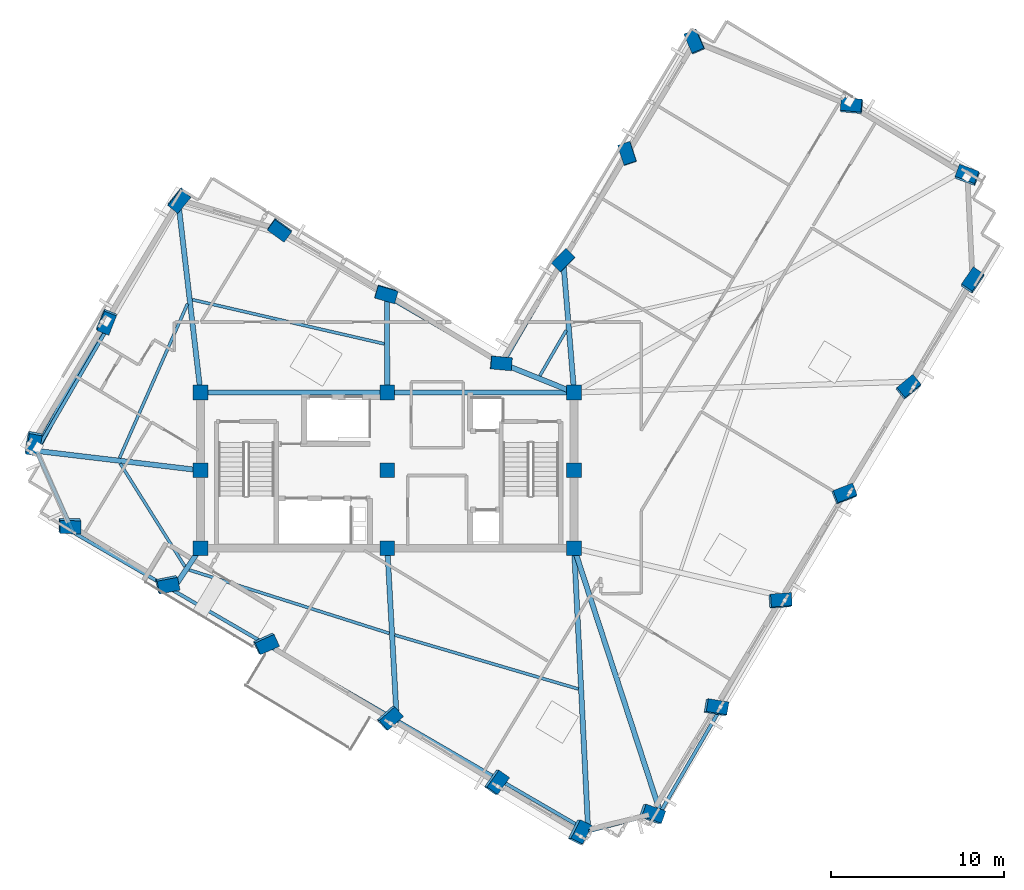
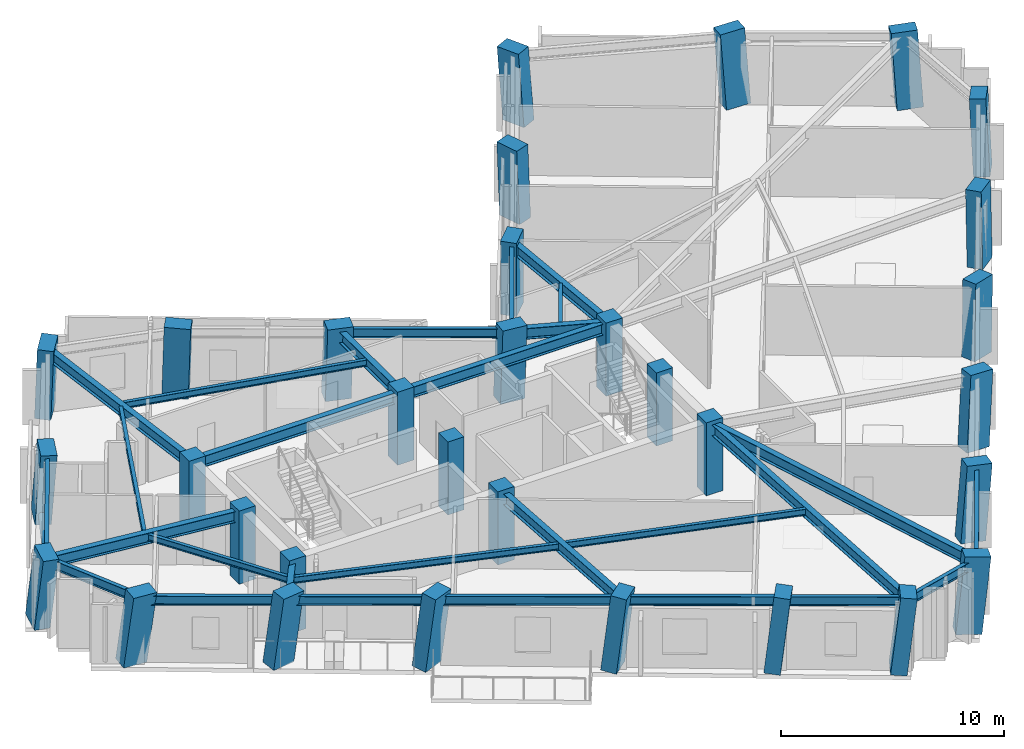
# One storey, part 1 of 12: 32 columns, 28 beams, 1 member.
"""IFC4 building model written with IfcOpenShell, lengths in metres."""

from ifc_helpers import new_model, si_unit, direction, frame, origin, origin_2d, place, context, subcontext, project, spatial, rectangle, hollow_circle, i_section, extrude, material, material_profile, profile_set, type_object, element, save


model = new_model("IFC4")

# Units and contexts
model_context = context("Model", 3, precision=1e-05, world=origin(), true_north=direction((0.0, 1.0)))
body_context = subcontext(model_context, "Body", "Model", "MODEL_VIEW")
ifc_project = project(units=[si_unit("LENGTHUNIT", "METRE"), si_unit("AREAUNIT", "SQUARE_METRE"), si_unit("VOLUMEUNIT", "CUBIC_METRE"), si_unit("PLANEANGLEUNIT", "RADIAN"), si_unit("MASSUNIT", "GRAM", prefix="KILO")], contexts=[model_context])

# Site, building, storey
site_placement = place(None, origin())
site = spatial("IfcSite", under=ifc_project, at=site_placement, CompositionType="ELEMENT")
building_placement = place(site_placement, origin())
building = spatial("IfcBuilding", under=site, at=building_placement, Name="Gaonmaruhae Medical Tower", CompositionType="ELEMENT")
storey_placement = place(building_placement, frame((0.0, 0.0, 276.60009765625)))
storey = spatial("IfcBuildingStorey", under=building, at=storey_placement, Name="L66", CompositionType="ELEMENT", Elevation=276.60009765625)

# Columns
ifc_material_1 = material(Name="Concrete C50/60", Category="concrete")
ifc_material_profile_1 = material_profile(ifc_material_1, rectangle(XDim=0.85009765625, YDim=0.85009765625, at=origin_2d()), Name="RC-850x850")
ifc_profile_set_1 = profile_set([ifc_material_profile_1], Name="Concrete C50/60")
column_type_1 = type_object("IfcColumnType", Name="CC-06 Upper Core Column (RC-850x850)", PredefinedType="COLUMN", material=ifc_profile_set_1)
for number, where, z_axis, x_axis, name in (
    (1, (14.0, 7.800048828125, 0.0), (0.0, 0.0, 1.0), (1.0, 0.0, 0.0), "L66 Plumb Core Column CC11"),
    (2, (14.0, 12.300048828125, 0.0), (0.0, 0.0, 1.0), (1.0, 0.0, 0.0), "L66 Plumb Core Column CC12"),
    (3, (14.0, 16.800048828125, 0.0), (0.0, 0.0, 1.0), (1.0, 0.0, 0.0), "L66 Plumb Core Column CC13"),
    (4, (24.800048828125, 7.800048828125, 0.0), (0.0, 0.0, 1.0), (1.0, 0.0, 0.0), "L66 Plumb Core Column CC21"),
    (5, (24.800048828125, 12.300048828125, 0.0), (0.0, 0.0, 1.0), (1.0, 0.0, 0.0), "L66 Plumb Core Column CC22"),
    (6, (24.800048828125, 16.800048828125, 0.0), (0.0, 0.0, 1.0), (1.0, 0.0, 0.0), "L66 Plumb Core Column CC23"),
    (7, (35.60009765625, 7.800048828125, 0.0), (0.0, 0.0, 1.0), (1.0, 0.0, 0.0), "L66 Plumb Core Column CC31"),
    (8, (35.60009765625, 12.300048828125, 0.0), (0.0, 0.0, 1.0), (1.0, 0.0, 0.0), "L66 Plumb Core Column CC32"),
    (9, (35.60009765625, 16.800048828125, 0.0), (0.0, 0.0, 1.0), (1.0, 0.0, 0.0), "L66 Plumb Core Column CC33"),
):
    element("IfcColumn", number, at=place(storey_placement, frame(where, z_axis=z_axis, x_axis=x_axis)), inside=storey, type_object=column_type_1, Name=name, PredefinedType="COLUMN", context=body_context, shape_type="SweptSolid", body=[
        extrude(rectangle(XDim=0.85009765625, YDim=0.85009765625, at=origin_2d()), origin(), (0.0, 0.0, 1.0), 4.0),
    ])
ifc_material_profile_2 = material_profile(ifc_material_1, rectangle(XDim=1.199951171875, YDim=0.75, at=origin_2d()), Name="RC-1200x750")
ifc_profile_set_2 = profile_set([ifc_material_profile_2], Name="Concrete C50/60")
column_type_2 = type_object("IfcColumnType", Name="TC-03 Upper Raking Tube Pier Column (RC-1200x750)", PredefinedType="COLUMN", material=ifc_profile_set_2)
column_1_placement = place(storey_placement, frame((40.048828125, -7.585693359375, 0.001708984375), z_axis=(0.132795255169, 0.027600107729, 0.990759130292), x_axis=(-0.935714006807, 0.333093409799, 0.116138184133)))
element("IfcColumn", 10, at=column_1_placement, inside=storey, type_object=column_type_2, Name="L66 Perimeter Tube Column S01", PredefinedType="COLUMN", context=body_context, shape_type="SweptSolid", body=[
    extrude(rectangle(XDim=1.199951171875, YDim=0.75, at=origin_2d()), origin(), (0.0, 0.0, 1.0), 4.03369140625),
])
column_2_placement = place(storey_placement, frame((43.767822265625, -1.420654296875, 0.001708984375), z_axis=(0.107586077472, 0.042779573952, 0.993274958904), x_axis=(-0.981176466605, 0.165723838035, 0.099138039555)))
element("IfcColumn", 11, at=column_2_placement, inside=storey, type_object=column_type_2, Name="L66 Perimeter Tube Column S02", PredefinedType="COLUMN", context=body_context, shape_type="SweptSolid", body=[
    extrude(rectangle(XDim=1.199951171875, YDim=0.75, at=origin_2d()), origin(), (0.0, 0.0, 1.0), 4.0234375),
])
column_3_placement = place(storey_placement, frame((47.48681640625, 4.74462890625, 0.001708984375), z_axis=(0.082237012111, 0.057924517769, 0.9949280497), x_axis=(-0.993940655295, -0.068289052972, 0.086131173199)))
element("IfcColumn", 12, at=column_3_placement, inside=storey, type_object=column_type_2, Name="L66 Perimeter Tube Column S03", PredefinedType="COLUMN", context=body_context, shape_type="SweptSolid", body=[
    extrude(rectangle(XDim=1.199951171875, YDim=0.75, at=origin_2d()), origin(), (0.0, 0.0, 1.0), 4.0166015625),
])
column_4_placement = place(storey_placement, frame((51.205810546875, 10.90966796875, 0.001708984375), z_axis=(0.056692424578, 0.073177024428, 0.995706328237), x_axis=(-0.930488175419, -0.357643802358, 0.079263270434)))
element("IfcColumn", 13, at=column_4_placement, inside=storey, type_object=column_type_2, Name="L66 Perimeter Tube Column S04", PredefinedType="COLUMN", context=body_context, shape_type="SweptSolid", body=[
    extrude(rectangle(XDim=1.199951171875, YDim=0.75, at=origin_2d()), origin(), (0.0, 0.0, 1.0), 4.013671875),
])
column_5_placement = place(storey_placement, frame((54.9248046875, 17.074951171875, 0.001708984375), z_axis=(0.031141357072, 0.088254119357, 0.995611081847), x_axis=(-0.770772512069, -0.632050636346, 0.080135683274)))
element("IfcColumn", 14, at=column_5_placement, inside=storey, type_object=column_type_2, Name="L66 Perimeter Tube Column S05", PredefinedType="COLUMN", context=body_context, shape_type="SweptSolid", body=[
    extrude(rectangle(XDim=1.199951171875, YDim=0.75, at=origin_2d()), origin(), (0.0, 0.0, 1.0), 4.013916015625),
])
column_6_placement = place(storey_placement, frame((58.643798828125, 23.239990234375, 0.001708984375), z_axis=(0.005590225413, 0.103297643506, 0.994634780322), x_axis=(-0.561801790444, -0.822515876559, 0.08857980053)))
element("IfcColumn", 15, at=column_6_placement, inside=storey, type_object=column_type_2, Name="L66 Perimeter Tube Column S06", PredefinedType="COLUMN", context=body_context, shape_type="SweptSolid", body=[
    extrude(rectangle(XDim=1.199951171875, YDim=0.75, at=origin_2d()), origin(), (0.0, 0.0, 1.0), 4.017822265625),
])
column_7_placement = place(storey_placement, frame((58.3408203125, 29.3203125, 0.001708984375), z_axis=(-0.019443798836, 0.101836896404, 0.994611072338), x_axis=(0.937423986975, -0.344047108781, 0.053552363012)))
element("IfcColumn", 16, at=column_7_placement, inside=storey, type_object=column_type_2, Name="L66 Perimeter Tube Column E01", PredefinedType="COLUMN", context=body_context, shape_type="SweptSolid", body=[
    extrude(rectangle(XDim=1.199951171875, YDim=0.75, at=origin_2d()), origin(), (0.0, 0.0, 1.0), 4.01806640625),
])
column_8_placement = place(storey_placement, frame((51.661865234375, 33.349365234375, 0.001708984375), z_axis=(-0.035920849963, 0.074277011787, 0.996590496673), x_axis=(0.994972000752, -0.090633673349, 0.042617543034)))
element("IfcColumn", 17, at=column_8_placement, inside=storey, type_object=column_type_2, Name="L66 Perimeter Tube Column E02", PredefinedType="COLUMN", context=body_context, shape_type="SweptSolid", body=[
    extrude(rectangle(XDim=1.199951171875, YDim=0.75, at=origin_2d()), origin(), (0.0, 0.0, 1.0), 4.010009765625),
])
column_9_placement = place(storey_placement, frame((42.581298828125, 37.0751953125, 0.001708984375), z_axis=(-0.051092925191, 0.036703986831, 0.998019203395), x_axis=(0.39268311078, -0.918094895724, 0.053867772867)))
element("IfcColumn", 18, at=column_9_placement, inside=storey, type_object=column_type_2, Name="L66 Perimeter Tube Column E03", PredefinedType="COLUMN", context=body_context, shape_type="SweptSolid", body=[
    extrude(rectangle(XDim=1.199951171875, YDim=0.75, at=origin_2d()), origin(), (0.0, 0.0, 1.0), 4.004150390625),
])
column_10_placement = place(storey_placement, frame((38.681640625, 30.6103515625, 0.001708984375), z_axis=(-0.024240744418, 0.020882454889, 0.999488023634), x_axis=(0.311279551422, -0.949923406253, 0.027396407041)))
element("IfcColumn", 19, at=column_10_placement, inside=storey, type_object=column_type_2, Name="L66 Perimeter Tube Column EN01", PredefinedType="COLUMN", context=body_context, shape_type="SweptSolid", body=[
    extrude(rectangle(XDim=1.199951171875, YDim=0.75, at=origin_2d()), origin(), (0.0, 0.0, 1.0), 3.998291015625),
])
column_11_placement = place(storey_placement, frame((34.962646484375, 24.4453125, 0.001708984375), z_axis=(0.001405071418, 0.005620285671, 0.999983218941), x_axis=(-0.708782722626, -0.705409416433, 0.004960576024)))
element("IfcColumn", 20, at=column_11_placement, inside=storey, type_object=column_type_2, Name="L66 Perimeter Tube Column EN02", PredefinedType="COLUMN", context=body_context, shape_type="SweptSolid", body=[
    extrude(rectangle(XDim=1.199951171875, YDim=0.75, at=origin_2d()), origin(), (0.0, 0.0, 1.0), 3.996337890625),
])
column_12_placement = place(storey_placement, frame((31.372802734375, 18.494140625, 0.001708984375), z_axis=(0.026198010128, -0.009038008156, 0.999615915577), x_axis=(-0.995635940105, 0.089360928723, 0.026901657753)))
element("IfcColumn", 21, at=column_12_placement, inside=storey, type_object=column_type_2, Name="L66 Perimeter Tube Column KN01", PredefinedType="COLUMN", context=body_context, shape_type="SweptSolid", body=[
    extrude(rectangle(XDim=1.199951171875, YDim=0.75, at=origin_2d()), origin(), (0.0, 0.0, 1.0), 3.997802734375),
])
column_13_placement = place(storey_placement, frame((24.736572265625, 22.497314453125, 0.001708984375), z_axis=(0.00982856745, -0.036689248681, 0.999278388785), x_axis=(-0.960666572978, 0.277010492781, 0.019619440675)))
element("IfcColumn", 22, at=column_13_placement, inside=storey, type_object=column_type_2, Name="L66 Perimeter Tube Column NE01", PredefinedType="COLUMN", context=body_context, shape_type="SweptSolid", body=[
    extrude(rectangle(XDim=1.199951171875, YDim=0.75, at=origin_2d()), origin(), (0.0, 0.0, 1.0), 3.999267578125),
])
column_14_placement = place(storey_placement, frame((18.571533203125, 26.21630859375, 0.001708984375), z_axis=(-0.005365511084, -0.062252122912, 0.998046033249), x_axis=(-0.808835316802, 0.58714886204, 0.032274511593)))
element("IfcColumn", 23, at=column_14_placement, inside=storey, type_object=column_type_2, Name="L66 Perimeter Tube Column NE02", PredefinedType="COLUMN", context=body_context, shape_type="SweptSolid", body=[
    extrude(rectangle(XDim=1.199951171875, YDim=0.75, at=origin_2d()), origin(), (0.0, 0.0, 1.0), 4.004150390625),
])
column_15_placement = place(storey_placement, frame((12.78759765625, 27.953369140625, 0.001708984375), z_axis=(-0.012354535115, -0.086055727352, 0.99621372067), x_axis=(0.632512293176, 0.77096469475, 0.0744421818)))
element("IfcColumn", 24, at=column_15_placement, inside=storey, type_object=column_type_2, Name="L66 Perimeter Tube Column N01", PredefinedType="COLUMN", context=body_context, shape_type="SweptSolid", body=[
    extrude(rectangle(XDim=1.199951171875, YDim=0.75, at=origin_2d()), origin(), (0.0, 0.0, 1.0), 4.011474609375),
])
column_16_placement = place(storey_placement, frame((8.552001953125, 20.93212890625, 0.001708984375), z_axis=(0.016768790587, -0.103164516003, 0.99452294609), x_axis=(0.373216251876, 0.923417643905, 0.089495722025)))
element("IfcColumn", 25, at=column_16_placement, inside=storey, type_object=column_type_2, Name="L66 Perimeter Tube Column N02", PredefinedType="COLUMN", context=body_context, shape_type="SweptSolid", body=[
    extrude(rectangle(XDim=1.199951171875, YDim=0.75, at=origin_2d()), origin(), (0.0, 0.0, 1.0), 4.018310546875),
])
column_17_placement = place(storey_placement, frame((4.31640625, 13.91064453125, 0.001708984375), z_axis=(0.045741739256, -0.120019053598, 0.991717258125), x_axis=(0.180248165753, 0.977453424246, 0.109979098802)))
element("IfcColumn", 26, at=column_17_placement, inside=storey, type_object=column_type_2, Name="L66 Perimeter Tube Column N03", PredefinedType="COLUMN", context=body_context, shape_type="SweptSolid", body=[
    extrude(rectangle(XDim=1.199951171875, YDim=0.75, at=origin_2d()), origin(), (0.0, 0.0, 1.0), 4.02978515625),
])
column_18_placement = place(storey_placement, frame((6.406005859375, 9.146484375, 0.001708984375), z_axis=(0.065245773454, -0.111226778145, 0.991650943059), x_axis=(-0.997742461186, 0.008568024773, 0.066607582881)))
element("IfcColumn", 27, at=column_18_placement, inside=storey, type_object=column_type_2, Name="L66 Perimeter Tube Column W01", PredefinedType="COLUMN", context=body_context, shape_type="SweptSolid", body=[
    extrude(rectangle(XDim=1.199951171875, YDim=0.75, at=origin_2d()), origin(), (0.0, 0.0, 1.0), 4.030029296875),
])
column_19_placement = place(storey_placement, frame((12.057373046875, 5.737548828125, 0.001708984375), z_axis=(0.079223540484, -0.088019415959, 0.992963349297), x_axis=(-0.979562133865, -0.191615202588, 0.06116894666)))
element("IfcColumn", 28, at=column_19_placement, inside=storey, type_object=column_type_2, Name="L66 Perimeter Tube Column W02", PredefinedType="COLUMN", context=body_context, shape_type="SweptSolid", body=[
    extrude(rectangle(XDim=1.199951171875, YDim=0.75, at=origin_2d()), origin(), (0.0, 0.0, 1.0), 4.024658203125),
])
column_20_placement = place(storey_placement, frame((17.751708984375, 2.302490234375, 0.001708984375), z_axis=(0.093171024825, -0.064460995677, 0.993561241278), x_axis=(-0.909225315219, -0.412170571073, 0.058521333764)))
element("IfcColumn", 29, at=column_20_placement, inside=storey, type_object=column_type_2, Name="L66 Perimeter Tube Column W03", PredefinedType="COLUMN", context=body_context, shape_type="SweptSolid", body=[
    extrude(rectangle(XDim=1.199951171875, YDim=0.75, at=origin_2d()), origin(), (0.0, 0.0, 1.0), 4.022216796875),
])
column_21_placement = place(storey_placement, frame((24.9013671875, -2.010498046875, 0.001708984375), z_axis=(0.110677296579, -0.034890046893, 0.993243787119), x_axis=(-0.746748099371, -0.662400369414, 0.059941860886)))
element("IfcColumn", 30, at=column_21_placement, inside=storey, type_object=column_type_2, Name="L66 Perimeter Tube Column W04", PredefinedType="COLUMN", context=body_context, shape_type="SweptSolid", body=[
    extrude(rectangle(XDim=1.199951171875, YDim=0.75, at=origin_2d()), origin(), (0.0, 0.0, 1.0), 4.0234375),
])
column_22_placement = place(storey_placement, frame((31.066650390625, -5.7294921875, 0.001708984375), z_axis=(0.125632855195, -0.009333072697, 0.992032902403), x_axis=(-0.574445891357, -0.815951900326, 0.065072377062)))
element("IfcColumn", 31, at=column_22_placement, inside=storey, type_object=column_type_2, Name="L66 Perimeter Tube Column W05", PredefinedType="COLUMN", context=body_context, shape_type="SweptSolid", body=[
    extrude(rectangle(XDim=1.199951171875, YDim=0.75, at=origin_2d()), origin(), (0.0, 0.0, 1.0), 4.0283203125),
])
column_23_placement = place(storey_placement, frame((35.86181640625, -8.6220703125, 0.001708984375), z_axis=(0.137117227082, 0.01046834964, 0.990499510193), x_axis=(-0.444958573052, -0.892729724928, 0.071031728813)))
element("IfcColumn", 32, at=column_23_placement, inside=storey, type_object=column_type_2, Name="L66 Perimeter Tube Column W06", PredefinedType="COLUMN", context=body_context, shape_type="SweptSolid", body=[
    extrude(rectangle(XDim=1.199951171875, YDim=0.75, at=origin_2d()), origin(), (0.0, 0.0, 1.0), 4.03466796875),
])

# Beams
ifc_material_2 = material(Name="Steel SM355", Category="steel")
ifc_material_profile_3 = material_profile(ifc_material_2, i_section(OverallWidth=0.175048828125, OverallDepth=0.35009765625, WebThickness=0.007080078125, FlangeThickness=0.010986328125, FilletRadius=0.012939453125, at=origin_2d()), Name="H-350x175x7x11")
ifc_profile_set_3 = profile_set([ifc_material_profile_3], Name="Steel SM355")
beam_type_1 = type_object("IfcBeamType", Name="FJ-02 Upper Zone Ward Floor Joist (H-350x175x7x11)", PredefinedType="JOIST", material=ifc_profile_set_3)
beam_1_placement = place(storey_placement, frame((35.1494140625, 20.40185546875, 3.60498046875), z_axis=(-0.50229197681, -0.864698080276, 0.0), x_axis=(0.864698080276, -0.50229197681, 0.0)))
element("IfcBeam", 33, at=beam_1_placement, inside=storey, type_object=beam_type_1, Name="L66 Secondary Floor Joist FJ05", PredefinedType="JOIST", context=body_context, shape_type="SweptSolid", body=[
    extrude(i_section(OverallWidth=0.175048828125, OverallDepth=0.35009765625, WebThickness=0.007080078125, FlangeThickness=0.010986328125, FilletRadius=0.012939453125, at=origin_2d()), origin(), (0.0, 0.0, 1.0), 3.049072265625),
])
beam_2_placement = place(storey_placement, frame((24.632080078125, 19.611328125, 3.60498046875), z_axis=(-0.97451313152, 0.224330462699, 0.0), x_axis=(-0.224330462699, -0.97451313152, 0.0)))
element("IfcBeam", 34, at=beam_2_placement, inside=storey, type_object=beam_type_1, Name="L66 Secondary Floor Joist FJ07", PredefinedType="JOIST", context=body_context, shape_type="SweptSolid", body=[
    extrude(i_section(OverallWidth=0.175048828125, OverallDepth=0.35009765625, WebThickness=0.007080078125, FlangeThickness=0.010986328125, FilletRadius=0.012939453125, at=origin_2d()), origin(), (0.0, 0.0, 1.0), 11.392333984375),
])
beam_3_placement = place(storey_placement, frame((13.247314453125, 21.927734375, 3.60498046875), z_axis=(-0.403463150952, -0.914995893884, 0.0), x_axis=(0.914995893884, -0.403463150952, 0.0)))
element("IfcBeam", 35, at=beam_3_placement, inside=storey, type_object=beam_type_1, Name="L66 Secondary Floor Joist FJ08", PredefinedType="JOIST", context=body_context, shape_type="SweptSolid", body=[
    extrude(i_section(OverallWidth=0.175048828125, OverallDepth=0.35009765625, WebThickness=0.007080078125, FlangeThickness=0.010986328125, FilletRadius=0.012939453125, at=origin_2d()), origin(), (0.0, 0.0, 1.0), 9.743408203125),
])
beam_4_placement = place(storey_placement, frame((9.356201171875, 12.695068359375, 3.5849609375), z_axis=(0.531713153778, -0.84692450791, 0.0), x_axis=(0.84692450791, 0.531713153778, 0.0)))
element("IfcBeam", 36, at=beam_4_placement, inside=storey, type_object=beam_type_1, Name="L66 Secondary Floor Joist FJ09", PredefinedType="JOIST", context=body_context, shape_type="SweptSolid", body=[
    extrude(i_section(OverallWidth=0.175048828125, OverallDepth=0.35009765625, WebThickness=0.007080078125, FlangeThickness=0.010986328125, FilletRadius=0.012939453125, at=origin_2d()), origin(), (0.0, 0.0, 1.0), 7.03662109375),
])
beam_5_placement = place(storey_placement, frame((13.3427734375, 6.54248046875, 3.5849609375), z_axis=(0.953265114569, -0.302135104457, 0.0), x_axis=(0.302135104457, 0.953265114569, 0.0)))
element("IfcBeam", 37, at=beam_5_placement, inside=storey, type_object=beam_type_1, Name="L66 Secondary Floor Joist FJ10", PredefinedType="JOIST", context=body_context, shape_type="SweptSolid", body=[
    extrude(i_section(OverallWidth=0.175048828125, OverallDepth=0.35009765625, WebThickness=0.007080078125, FlangeThickness=0.010986328125, FilletRadius=0.012939453125, at=origin_2d()), origin(), (0.0, 0.0, 1.0), 12.139404296875),
])
beam_6_placement = place(storey_placement, frame((25.23193359375, 2.778076171875, 3.60498046875), z_axis=(0.959394653012, -0.282067190173, 0.0), x_axis=(0.282067190173, 0.959394653012, 0.0)))
element("IfcBeam", 38, at=beam_6_placement, inside=storey, type_object=beam_type_1, Name="L66 Secondary Floor Joist FJ11", PredefinedType="JOIST", context=body_context, shape_type="SweptSolid", body=[
    extrude(i_section(OverallWidth=0.175048828125, OverallDepth=0.35009765625, WebThickness=0.007080078125, FlangeThickness=0.010986328125, FilletRadius=0.012939453125, at=origin_2d()), origin(), (0.0, 0.0, 1.0), 11.06689453125),
])

# Member
ifc_material_profile_4 = material_profile(ifc_material_2, hollow_circle(Radius=0.1591796875, WallThickness=0.01025390625, at=origin_2d()), Name="CHS-318.5x10.3")
ifc_profile_set_4 = profile_set([ifc_material_profile_4], Name="Steel SM355")
member_type = type_object("IfcMemberType", Name="PB-03 Perimeter Solid-Bay Tube Brace Upper (CHS-318.5x10.3)", PredefinedType="BRACE", material=ifc_profile_set_4)
member_placement = place(storey_placement, frame((8.552001953125, 20.93212890625, 0.25), z_axis=(-0.443336263927, -0.82135201867, 0.358934281607), x_axis=(0.879992204531, -0.474988126131, 0.0)))
element("IfcMember", 39, at=member_placement, inside=storey, type_object=member_type, Name="L66 Perimeter Tube Solid-Bay Brace N02-N03", PredefinedType="BRACE", context=body_context, shape_type="SweptSolid", body=[
    extrude(hollow_circle(Radius=0.1591796875, WallThickness=0.01025390625, at=origin_2d()), origin(), (0.0, 0.0, 1.0), 8.91796875),
])

# Beams
ifc_material_3 = material(Name="Steel SM420", Category="steel")
ifc_material_profile_5 = material_profile(ifc_material_3, i_section(OverallWidth=0.300048828125, OverallDepth=0.60009765625, WebThickness=0.011962890625, FlangeThickness=0.02001953125, FilletRadius=0.012939453125, at=origin_2d()), Name="H-600x300x12x20")
ifc_profile_set_5 = profile_set([ifc_material_profile_5], Name="Steel SM420")
beam_type_2 = type_object("IfcBeamType", Name="PG-04 Zone 4 Radial Floor Girder (H-600x300x12x20)", PredefinedType="BEAM", material=ifc_profile_set_5)
for number, where, z_axis, x_axis, name in (
    (40, (14.050048828125, 16.800048828125, 3.47998046875), (1.0, 0.0, 0.0), (0.0, 1.0, 0.0), "L66 Beam BM-L66-CG-N1"),
    (41, (24.85009765625, 16.800048828125, 3.47998046875), (1.0, 0.0, 0.0), (0.0, 1.0, 0.0), "L66 Beam BM-L66-CG-N2"),
):
    element("IfcBeam", number, at=place(storey_placement, frame(where, z_axis=z_axis, x_axis=x_axis)), inside=storey, type_object=beam_type_2, Name=name, PredefinedType="BEAM", context=body_context, shape_type="SweptSolid", body=[
        extrude(i_section(OverallWidth=0.300048828125, OverallDepth=0.60009765625, WebThickness=0.011962890625, FlangeThickness=0.02001953125, FilletRadius=0.012939453125, at=origin_2d()), origin(), (0.0, 0.0, 1.0), 10.699951171875),
    ])
beam_7_placement = place(storey_placement, frame((35.615478515625, 7.75244140625, 3.47998046875), z_axis=(0.310235410466, -0.950659765685, 0.0), x_axis=(0.950659765685, 0.310235410466, 0.0)))
element("IfcBeam", 42, at=beam_7_placement, inside=storey, type_object=beam_type_2, Name="L66 Radial Primary Girder S01", PredefinedType="BEAM", context=body_context, shape_type="SweptSolid", body=[
    extrude(i_section(OverallWidth=0.300048828125, OverallDepth=0.60009765625, WebThickness=0.011962890625, FlangeThickness=0.02001953125, FilletRadius=0.012939453125, at=origin_2d()), origin(), (0.0, 0.0, 1.0), 15.96728515625),
])
beam_8_placement = place(storey_placement, frame((35.595947265625, 16.849853515625, 3.47998046875), z_axis=(-0.082111536355, 0.996623146228, 0.0), x_axis=(-0.996623146228, -0.082111536355, 0.0)))
element("IfcBeam", 43, at=beam_8_placement, inside=storey, type_object=beam_type_2, Name="L66 Radial Primary Girder EN02", PredefinedType="BEAM", context=body_context, shape_type="SweptSolid", body=[
    extrude(i_section(OverallWidth=0.300048828125, OverallDepth=0.60009765625, WebThickness=0.011962890625, FlangeThickness=0.02001953125, FilletRadius=0.012939453125, at=origin_2d()), origin(), (0.0, 0.0, 1.0), 7.59375),
])
beam_9_placement = place(storey_placement, frame((35.5537109375, 16.818603515625, 3.47998046875), z_axis=(-0.92776561623, 0.373163451239, 0.0), x_axis=(-0.373163451239, -0.92776561623, 0.0)))
element("IfcBeam", 44, at=beam_9_placement, inside=storey, type_object=beam_type_2, Name="L66 Radial Primary Girder KN01", PredefinedType="BEAM", context=body_context, shape_type="SweptSolid", body=[
    extrude(i_section(OverallWidth=0.300048828125, OverallDepth=0.60009765625, WebThickness=0.011962890625, FlangeThickness=0.02001953125, FilletRadius=0.012939453125, at=origin_2d()), origin(), (0.0, 0.0, 1.0), 4.343505859375),
])
beam_10_placement = place(storey_placement, frame((24.7998046875, 16.85009765625, 3.47998046875), z_axis=(-0.004344863804, 0.999990561035, 0.0), x_axis=(-0.999990561035, -0.004344863804, 0.0)))
element("IfcBeam", 45, at=beam_10_placement, inside=storey, type_object=beam_type_2, Name="L66 Radial Primary Girder NE01", PredefinedType="BEAM", context=body_context, shape_type="SweptSolid", body=[
    extrude(i_section(OverallWidth=0.300048828125, OverallDepth=0.60009765625, WebThickness=0.011962890625, FlangeThickness=0.02001953125, FilletRadius=0.012939453125, at=origin_2d()), origin(), (0.0, 0.0, 1.0), 5.450439453125),
])
beam_11_placement = place(storey_placement, frame((13.994140625, 16.849609375, 3.47998046875), z_axis=(-0.115962241539, 0.993253622464, 0.0), x_axis=(-0.993253622464, -0.115962241539, 0.0)))
element("IfcBeam", 46, at=beam_11_placement, inside=storey, type_object=beam_type_2, Name="L66 Radial Primary Girder N01", PredefinedType="BEAM", context=body_context, shape_type="SweptSolid", body=[
    extrude(i_section(OverallWidth=0.300048828125, OverallDepth=0.60009765625, WebThickness=0.011962890625, FlangeThickness=0.02001953125, FilletRadius=0.012939453125, at=origin_2d()), origin(), (0.0, 0.0, 1.0), 10.781494140625),
])
beam_12_placement = place(storey_placement, frame((13.950439453125, 12.305908203125, 3.47998046875), z_axis=(-0.993038355635, 0.117791443826, 0.0), x_axis=(-0.117791443826, -0.993038355635, 0.0)))
element("IfcBeam", 47, at=beam_12_placement, inside=storey, type_object=beam_type_2, Name="L66 Radial Primary Girder N03", PredefinedType="BEAM", context=body_context, shape_type="SweptSolid", body=[
    extrude(i_section(OverallWidth=0.300048828125, OverallDepth=0.60009765625, WebThickness=0.011962890625, FlangeThickness=0.02001953125, FilletRadius=0.012939453125, at=origin_2d()), origin(), (0.0, 0.0, 1.0), 9.4658203125),
])
beam_13_placement = place(storey_placement, frame((13.97216796875, 7.758544921875, 3.4599609375), z_axis=(-0.557682097151, -0.830054623815, 0.0), x_axis=(0.830054623815, -0.557682097151, 0.0)))
element("IfcBeam", 48, at=beam_13_placement, inside=storey, type_object=beam_type_2, Name="L66 Radial Primary Girder W02", PredefinedType="BEAM", context=body_context, shape_type="SweptSolid", body=[
    extrude(i_section(OverallWidth=0.300048828125, OverallDepth=0.60009765625, WebThickness=0.011962890625, FlangeThickness=0.02001953125, FilletRadius=0.012939453125, at=origin_2d()), origin(), (0.0, 0.0, 1.0), 2.811767578125),
])
beam_14_placement = place(storey_placement, frame((24.802734375, 7.75, 3.47998046875), z_axis=(0.054886161782, -0.998492618523, 0.0), x_axis=(0.998492618523, 0.054886161782, 0.0)))
element("IfcBeam", 49, at=beam_14_placement, inside=storey, type_object=beam_type_2, Name="L66 Radial Primary Girder W04", PredefinedType="BEAM", context=body_context, shape_type="SweptSolid", body=[
    extrude(i_section(OverallWidth=0.300048828125, OverallDepth=0.60009765625, WebThickness=0.011962890625, FlangeThickness=0.02001953125, FilletRadius=0.012939453125, at=origin_2d()), origin(), (0.0, 0.0, 1.0), 9.865966796875),
])
beam_15_placement = place(storey_placement, frame((35.6025390625, 7.75, 3.47998046875), z_axis=(0.049711268089, -0.998763630608, 0.0), x_axis=(0.998763630608, 0.049711268089, 0.0)))
element("IfcBeam", 50, at=beam_15_placement, inside=storey, type_object=beam_type_2, Name="L66 Radial Primary Girder W06", PredefinedType="BEAM", context=body_context, shape_type="SweptSolid", body=[
    extrude(i_section(OverallWidth=0.300048828125, OverallDepth=0.60009765625, WebThickness=0.011962890625, FlangeThickness=0.02001953125, FilletRadius=0.012939453125, at=origin_2d()), origin(), (0.0, 0.0, 1.0), 16.30029296875),
])
ifc_material_profile_6 = material_profile(ifc_material_2, i_section(OverallWidth=0.199951171875, OverallDepth=0.5, WebThickness=0.010009765625, FlangeThickness=0.01611328125, FilletRadius=0.012939453125, at=origin_2d()), Name="H-500x200x10x16")
ifc_profile_set_6 = profile_set([ifc_material_profile_6], Name="Steel SM355")
beam_type_3 = type_object("IfcBeamType", Name="SP-02 Upper Perimeter Spandrel Beam (H-500x200x10x16)", PredefinedType="SPANDREL", material=ifc_profile_set_6)
beam_16_placement = place(storey_placement, frame((40.604736328125, -7.43994140625, 3.52978515625), z_axis=(0.502256282324, 0.864718813758, 0.0), x_axis=(-0.864718813758, 0.502256282324, 0.0)))
element("IfcBeam", 51, at=beam_16_placement, inside=storey, type_object=beam_type_3, Name="L66 Perimeter Spandrel Beam S01-S02", PredefinedType="SPANDREL", context=body_context, shape_type="SweptSolid", body=[
    extrude(i_section(OverallWidth=0.199951171875, OverallDepth=0.5, WebThickness=0.010009765625, FlangeThickness=0.01611328125, FilletRadius=0.012939453125, at=origin_2d()), origin(), (0.0, 0.0, 1.0), 7.1201171875),
])
beam_17_placement = place(storey_placement, frame((34.9482421875, 24.433349609375, 3.52978515625), z_axis=(-0.502272679137, -0.864709289757, 0.0), x_axis=(0.864709289757, -0.502272679137, 0.0)))
element("IfcBeam", 52, at=beam_17_placement, inside=storey, type_object=beam_type_3, Name="L66 Perimeter Spandrel Beam EN02-KN01", PredefinedType="SPANDREL", context=body_context, shape_type="SweptSolid", body=[
    extrude(i_section(OverallWidth=0.199951171875, OverallDepth=0.5, WebThickness=0.010009765625, FlangeThickness=0.01611328125, FilletRadius=0.012939453125, at=origin_2d()), origin(), (0.0, 0.0, 1.0), 6.8701171875),
])
beam_18_placement = place(storey_placement, frame((31.44287109375, 18.478271484375, 3.52978515625), z_axis=(-0.864717151132, 0.502259144803, 0.0), x_axis=(-0.502259144803, -0.864717151132, 0.0)))
element("IfcBeam", 53, at=beam_18_placement, inside=storey, type_object=beam_type_3, Name="L66 Perimeter Spandrel Beam KN01-NE01", PredefinedType="SPANDREL", context=body_context, shape_type="SweptSolid", body=[
    extrude(i_section(OverallWidth=0.199951171875, OverallDepth=0.5, WebThickness=0.010009765625, FlangeThickness=0.01611328125, FilletRadius=0.012939453125, at=origin_2d()), origin(), (0.0, 0.0, 1.0), 7.669921875),
])
beam_19_placement = place(storey_placement, frame((8.599365234375, 20.48291015625, 3.52978515625), z_axis=(-0.502262446818, -0.864715233193, 0.0), x_axis=(0.864715233193, -0.502262446818, 0.0)))
element("IfcBeam", 54, at=beam_19_placement, inside=storey, type_object=beam_type_3, Name="L66 Perimeter Spandrel Beam N02-N03", PredefinedType="SPANDREL", context=body_context, shape_type="SweptSolid", body=[
    extrude(i_section(OverallWidth=0.199951171875, OverallDepth=0.5, WebThickness=0.010009765625, FlangeThickness=0.01611328125, FilletRadius=0.012939453125, at=origin_2d()), origin(), (0.0, 0.0, 1.0), 8.1201171875),
])
beam_20_placement = place(storey_placement, frame((4.517578125, 13.390380859375, 3.52978515625), z_axis=(0.416817183669, -0.908990338451, 0.0), x_axis=(0.908990338451, 0.416817183669, 0.0)))
element("IfcBeam", 55, at=beam_20_placement, inside=storey, type_object=beam_type_3, Name="L66 Perimeter Spandrel Beam N03-W01", PredefinedType="SPANDREL", context=body_context, shape_type="SweptSolid", body=[
    extrude(i_section(OverallWidth=0.199951171875, OverallDepth=0.5, WebThickness=0.010009765625, FlangeThickness=0.01611328125, FilletRadius=0.012939453125, at=origin_2d()), origin(), (0.0, 0.0, 1.0), 5.1220703125),
])
beam_21_placement = place(storey_placement, frame((6.703857421875, 8.677978515625, 3.510009765625), z_axis=(0.864705012309, -0.502280043091, 0.0), x_axis=(0.502280043091, 0.864705012309, 0.0)))
element("IfcBeam", 56, at=beam_21_placement, inside=storey, type_object=beam_type_3, Name="L66 Perimeter Spandrel Beam W01-W02", PredefinedType="SPANDREL", context=body_context, shape_type="SweptSolid", body=[
    extrude(i_section(OverallWidth=0.199951171875, OverallDepth=0.5, WebThickness=0.010009765625, FlangeThickness=0.01611328125, FilletRadius=0.012939453125, at=origin_2d()), origin(), (0.0, 0.0, 1.0), 6.52001953125),
])
beam_22_placement = place(storey_placement, frame((12.410888671875, 5.363037109375, 3.510009765625), z_axis=(0.864718145642, -0.502257432596, 0.0), x_axis=(0.502257432596, 0.864718145642, 0.0)))
element("IfcBeam", 57, at=beam_22_placement, inside=storey, type_object=beam_type_3, Name="L66 Perimeter Spandrel Beam W02-W03", PredefinedType="SPANDREL", context=body_context, shape_type="SweptSolid", body=[
    extrude(i_section(OverallWidth=0.199951171875, OverallDepth=0.5, WebThickness=0.010009765625, FlangeThickness=0.01611328125, FilletRadius=0.012939453125, at=origin_2d()), origin(), (0.0, 0.0, 1.0), 6.570068359375),
])
beam_23_placement = place(storey_placement, frame((18.1611328125, 2.02294921875, 3.52978515625), z_axis=(0.864715331269, -0.502262277967, 0.0), x_axis=(0.502262277967, 0.864715331269, 0.0)))
element("IfcBeam", 58, at=beam_23_placement, inside=storey, type_object=beam_type_3, Name="L66 Perimeter Spandrel Beam W03-W04", PredefinedType="SPANDREL", context=body_context, shape_type="SweptSolid", body=[
    extrude(i_section(OverallWidth=0.199951171875, OverallDepth=0.5, WebThickness=0.010009765625, FlangeThickness=0.01611328125, FilletRadius=0.012939453125, at=origin_2d()), origin(), (0.0, 0.0, 1.0), 8.270263671875),
])
beam_24_placement = place(storey_placement, frame((25.381591796875, -2.1708984375, 3.52978515625), z_axis=(0.864710163738, -0.502271174495, 0.0), x_axis=(0.502271174495, 0.864710163738, 0.0)))
element("IfcBeam", 59, at=beam_24_placement, inside=storey, type_object=beam_type_3, Name="L66 Perimeter Spandrel Beam W04-W05", PredefinedType="SPANDREL", context=body_context, shape_type="SweptSolid", body=[
    extrude(i_section(OverallWidth=0.199951171875, OverallDepth=0.5, WebThickness=0.010009765625, FlangeThickness=0.01611328125, FilletRadius=0.012939453125, at=origin_2d()), origin(), (0.0, 0.0, 1.0), 7.1201171875),
])
beam_25_placement = place(storey_placement, frame((31.607421875, -5.787353515625, 3.52978515625), z_axis=(0.864715830974, -0.502261417653, 0.0), x_axis=(0.502261417653, 0.864715830974, 0.0)))
element("IfcBeam", 60, at=beam_25_placement, inside=storey, type_object=beam_type_3, Name="L66 Perimeter Spandrel Beam W05-W06", PredefinedType="SPANDREL", context=body_context, shape_type="SweptSolid", body=[
    extrude(i_section(OverallWidth=0.199951171875, OverallDepth=0.5, WebThickness=0.010009765625, FlangeThickness=0.01611328125, FilletRadius=0.012939453125, at=origin_2d()), origin(), (0.0, 0.0, 1.0), 5.52001953125),
])
beam_26_placement = place(storey_placement, frame((36.453857421875, -8.569580078125, 3.52978515625), z_axis=(0.966601510988, 0.256284059115, 0.0), x_axis=(-0.256284059115, 0.966601510988, 0.0)))
element("IfcBeam", 61, at=beam_26_placement, inside=storey, type_object=beam_type_3, Name="L66 Perimeter Spandrel Beam W06-S01", PredefinedType="SPANDREL", context=body_context, shape_type="SweptSolid", body=[
    extrude(i_section(OverallWidth=0.199951171875, OverallDepth=0.5, WebThickness=0.010009765625, FlangeThickness=0.01611328125, FilletRadius=0.012939453125, at=origin_2d()), origin(), (0.0, 0.0, 1.0), 4.2333984375),
])

save(model, "model.ifc")
